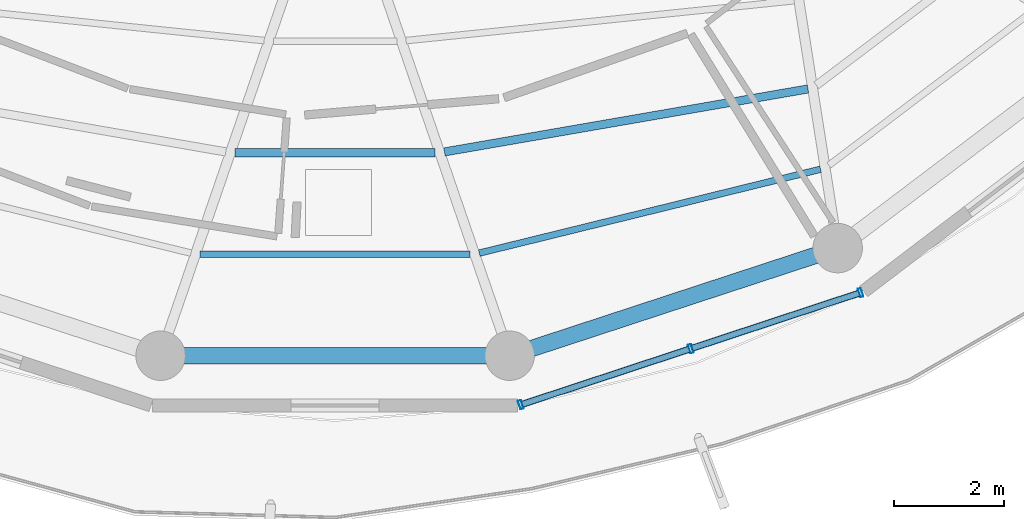
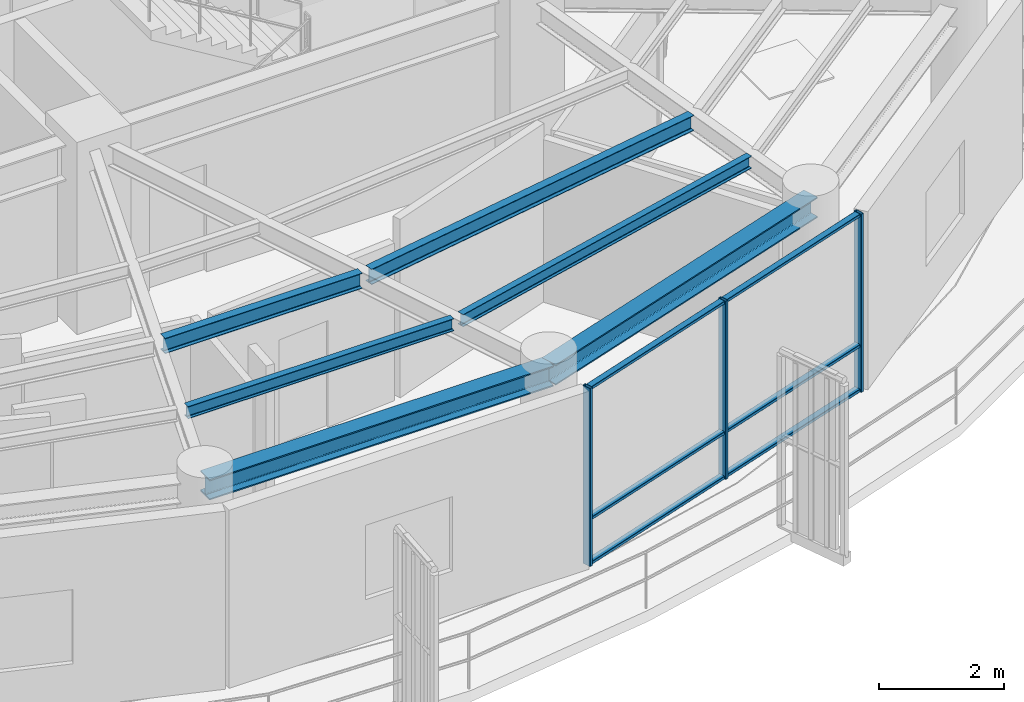
# One storey, part 3 of 22: 9 members, 6 beams, 1 element without a shape of its own.
"""IFC4 building model written with IfcOpenShell, lengths in metres."""

from ifc_helpers import new_model, si_unit, direction, frame, origin, origin_2d, place, context, subcontext, project, spatial, hollow_rectangle, i_section, extrude, material, layer, layer_set, material_profile, profile_set, type_object, element, aggregate, save


model = new_model("IFC4")

# Units and contexts
model_context = context("Model", 3, precision=1e-05, world=origin(), true_north=direction((0.0, 1.0)))
body_context = subcontext(model_context, "Body", "Model", "MODEL_VIEW")
ifc_project = project(units=[si_unit("LENGTHUNIT", "METRE"), si_unit("AREAUNIT", "SQUARE_METRE"), si_unit("VOLUMEUNIT", "CUBIC_METRE"), si_unit("PLANEANGLEUNIT", "RADIAN"), si_unit("MASSUNIT", "GRAM", prefix="KILO")], contexts=[model_context])

# Site, building, storey
site_placement = place(None, origin())
site = spatial("IfcSite", under=ifc_project, at=site_placement, CompositionType="ELEMENT")
building_placement = place(site_placement, origin())
building = spatial("IfcBuilding", under=site, at=building_placement, Name="Kelanora Arch Commons", CompositionType="ELEMENT")
storey_placement = place(building_placement, frame((0.0, 0.0, 271.199951171875)))
storey = spatial("IfcBuildingStorey", under=building, at=storey_placement, Name="L69", CompositionType="ELEMENT", Elevation=271.199951171875)

# Beams
ifc_material_1 = material(Name="Steel S355", Category="steel")
ifc_material_profile_1 = material_profile(ifc_material_1, i_section(OverallWidth=0.14990234375, OverallDepth=0.300048828125, WebThickness=0.007080078125, FlangeThickness=0.0107421875, FilletRadius=0.014892578125, at=origin_2d()), Name="IPE300")
ifc_profile_set_1 = profile_set([ifc_material_profile_1], Name="Steel S355")
beam_type_1 = type_object("IfcBeamType", Name="BM-JST-01", PredefinedType="JOIST", material=ifc_profile_set_1)
beam_1_placement = place(storey_placement, frame((72.180419921875, 45.462158203125, 3.340087890625), z_axis=(1.0, 0.0, 0.0), x_axis=(0.0, 1.0, 0.0)))
element("IfcBeam", 1, at=beam_1_placement, inside=storey, type_object=beam_type_1, Name="Secondary Chord Joist BJB-26 L69", PredefinedType="JOIST", context=body_context, shape_type="SweptSolid", body=[
    extrude(i_section(OverallWidth=0.14990234375, OverallDepth=0.300048828125, WebThickness=0.007080078125, FlangeThickness=0.0107421875, FilletRadius=0.014892578125, at=origin_2d()), origin(), (0.0, 0.0, 1.0), 3.63916015625),
])
beam_2_placement = place(storey_placement, frame((75.98828125, 45.476806640625, 3.340087890625), z_axis=(0.985321568263, 0.170708544357, 0.0), x_axis=(-0.170708544357, 0.985321568263, 0.0)))
element("IfcBeam", 2, at=beam_2_placement, inside=storey, type_object=beam_type_1, Name="Secondary Chord Joist BJB-28 L69", PredefinedType="JOIST", context=body_context, shape_type="SweptSolid", body=[
    extrude(i_section(OverallWidth=0.14990234375, OverallDepth=0.300048828125, WebThickness=0.007080078125, FlangeThickness=0.0107421875, FilletRadius=0.014892578125, at=origin_2d()), origin(), (0.0, 0.0, 1.0), 6.710205078125),
])
ifc_material_profile_2 = material_profile(ifc_material_1, i_section(OverallWidth=0.1201171875, OverallDepth=0.239990234375, WebThickness=0.006103515625, FlangeThickness=0.009765625, FilletRadius=0.014892578125, at=origin_2d()), Name="IPE240")
ifc_profile_set_2 = profile_set([ifc_material_profile_2], Name="Steel S355")
beam_type_2 = type_object("IfcBeamType", Name="BM-JST-02", PredefinedType="JOIST", material=ifc_profile_set_2)
beam_3_placement = place(storey_placement, frame((71.545654296875, 43.6162109375, 3.3701171875), z_axis=(1.0, 0.0, 0.0), x_axis=(0.0, 1.0, 0.0)))
element("IfcBeam", 3, at=beam_3_placement, inside=storey, type_object=beam_type_2, Name="Secondary Chord Joist BJC-26 L69", PredefinedType="JOIST", context=body_context, shape_type="SweptSolid", body=[
    extrude(i_section(OverallWidth=0.1201171875, OverallDepth=0.239990234375, WebThickness=0.006103515625, FlangeThickness=0.009765625, FilletRadius=0.014892578125, at=origin_2d()), origin(), (0.0, 0.0, 1.0), 4.90869140625),
])
beam_4_placement = place(storey_placement, frame((76.6220703125, 43.63671875, 3.3701171875), z_axis=(0.971109719488, 0.23863342749, 0.0), x_axis=(-0.23863342749, 0.971109719488, 0.0)))
element("IfcBeam", 4, at=beam_4_placement, inside=storey, type_object=beam_type_2, Name="Secondary Chord Joist BJC-28 L69", PredefinedType="JOIST", context=body_context, shape_type="SweptSolid", body=[
    extrude(i_section(OverallWidth=0.1201171875, OverallDepth=0.239990234375, WebThickness=0.006103515625, FlangeThickness=0.009765625, FilletRadius=0.014892578125, at=origin_2d()), origin(), (0.0, 0.0, 1.0), 6.39208984375),
])
ifc_material_profile_3 = material_profile(ifc_material_1, i_section(OverallWidth=0.300048828125, OverallDepth=0.39990234375, WebThickness=0.013427734375, FlangeThickness=0.02392578125, FilletRadius=0.027099609375, at=origin_2d()), Name="HEB400")
ifc_profile_set_3 = profile_set([ifc_material_profile_3], Name="Steel S355")
beam_type_3 = type_object("IfcBeamType", Name="BM-SPN-Z4", PredefinedType="SPANDREL", material=ifc_profile_set_3)
beam_5_placement = place(storey_placement, frame((70.82568359375, 41.7705078125, 3.2900390625), z_axis=(1.0, 0.0, 0.0), x_axis=(0.0, 1.0, 0.0)))
element("IfcBeam", 5, at=beam_5_placement, inside=storey, type_object=beam_type_3, Name="Perimeter Spandrel Beam BS-26 L69", PredefinedType="SPANDREL", context=body_context, shape_type="SweptSolid", body=[
    extrude(i_section(OverallWidth=0.300048828125, OverallDepth=0.39990234375, WebThickness=0.013427734375, FlangeThickness=0.02392578125, FilletRadius=0.027099609375, at=origin_2d()), origin(), (0.0, 0.0, 1.0), 6.3486328125),
])
beam_6_placement = place(storey_placement, frame((77.17431640625, 41.7705078125, 3.2900390625), z_axis=(0.950165923039, 0.311744636996, 0.0), x_axis=(-0.311744636996, 0.950165923039, 0.0)))
element("IfcBeam", 6, at=beam_6_placement, inside=storey, type_object=beam_type_3, Name="Perimeter Spandrel Beam BS-28 L69", PredefinedType="SPANDREL", context=body_context, shape_type="SweptSolid", body=[
    extrude(i_section(OverallWidth=0.300048828125, OverallDepth=0.39990234375, WebThickness=0.013427734375, FlangeThickness=0.02392578125, FilletRadius=0.027099609375, at=origin_2d()), origin(), (0.0, 0.0, 1.0), 6.278564453125),
])

# Curtain wall, members
ifc_material_2 = material(Name="Terracotta ceramic-fritted low-E glass and aluminium", Category="masonry")
ifc_layer = layer(ifc_material_2, 0.18994140625)
ifc_layer_set = layer_set([ifc_layer], Name="Terracotta ceramic-fritted low-E glass and aluminium")
curtain_wall_type = type_object("IfcCurtainWallType", Name="CW-SYS-03", PredefinedType="NOTDEFINED", material=ifc_layer_set)
curtain_wall_placement = place(storey_placement, origin())
curtain_wall = element("IfcCurtainWall", 7, at=curtain_wall_placement, inside=storey, type_object=curtain_wall_type, Name="Unitised Curtain Wall L69-B14", PredefinedType="NOTDEFINED")
ifc_material_3 = material(Name="Powder-coated aluminium terracotta", Category="masonry")
ifc_material_profile_4 = material_profile(ifc_material_3, hollow_rectangle(XDim=0.159912109375, YDim=0.06005859375, WallThickness=0.0048828125, InnerFilletRadius=0.0048828125, OuterFilletRadius=0.010009765625, at=origin_2d()), Name="CWM160x60")
ifc_profile_set_4 = profile_set([ifc_material_profile_4], Name="Powder-coated aluminium terracotta")
member_type_1 = type_object("IfcMemberType", Name="CWM-STD", PredefinedType="MULLION", material=ifc_profile_set_4)
member_1_placement = place(storey_placement, frame((77.376708984375, 40.87841796875, 0.0), z_axis=(0.0, 0.0, 1.0), x_axis=(-0.313252785344, 0.949669780752, 0.0)))
member_1 = element("IfcMember", 8, at=member_1_placement, type_object=member_type_1, Name="CW-03 mullion 1", PredefinedType="MULLION", context=body_context, shape_type="SweptSolid", body=[
    extrude(hollow_rectangle(XDim=0.159912109375, YDim=0.06005859375, WallThickness=0.0048828125, InnerFilletRadius=0.0048828125, OuterFilletRadius=0.010009765625, at=origin_2d()), origin(), (0.0, 0.0, 1.0), 3.47509765625),
])
member_2_placement = place(storey_placement, frame((80.467041015625, 41.897705078125, 0.0), z_axis=(0.0, 0.0, 1.0), x_axis=(-0.313252785344, 0.949669780752, 0.0)))
member_2 = element("IfcMember", 9, at=member_2_placement, type_object=member_type_1, Name="CW-03 mullion 2", PredefinedType="MULLION", context=body_context, shape_type="SweptSolid", body=[
    extrude(hollow_rectangle(XDim=0.159912109375, YDim=0.06005859375, WallThickness=0.0048828125, InnerFilletRadius=0.0048828125, OuterFilletRadius=0.010009765625, at=origin_2d()), origin(), (0.0, 0.0, 1.0), 3.47509765625),
])
member_3_placement = place(storey_placement, frame((83.557373046875, 42.9169921875, 0.0), z_axis=(0.0, 0.0, 1.0), x_axis=(-0.313252785344, 0.949669780752, 0.0)))
member_3 = element("IfcMember", 10, at=member_3_placement, type_object=member_type_1, Name="CW-03 mullion 3", PredefinedType="MULLION", context=body_context, shape_type="SweptSolid", body=[
    extrude(hollow_rectangle(XDim=0.159912109375, YDim=0.06005859375, WallThickness=0.0048828125, InnerFilletRadius=0.0048828125, OuterFilletRadius=0.010009765625, at=origin_2d()), origin(), (0.0, 0.0, 1.0), 3.47509765625),
])
ifc_material_profile_5 = material_profile(ifc_material_3, hollow_rectangle(XDim=0.1201171875, YDim=0.06005859375, WallThickness=0.0048828125, InnerFilletRadius=0.0048828125, OuterFilletRadius=0.010009765625, at=origin_2d()), Name="CWT120x60")
ifc_profile_set_5 = profile_set([ifc_material_profile_5], Name="Powder-coated aluminium terracotta")
member_type_2 = type_object("IfcMemberType", Name="CWT-STD", PredefinedType="USERDEFINED", material=ifc_profile_set_5)
member_4_placement = place(storey_placement, frame((77.4052734375, 40.8876953125, 0.030029296875), z_axis=(0.949649574195, 0.313314037719, 0.0), x_axis=(-0.313314037719, 0.949649574195, 0.0)))
member_4 = element("IfcMember", 11, at=member_4_placement, type_object=member_type_2, Name="CW-03 transom 1.1", ObjectType="TRANSOM", PredefinedType="USERDEFINED", context=body_context, shape_type="SweptSolid", body=[
    extrude(hollow_rectangle(XDim=0.1201171875, YDim=0.06005859375, WallThickness=0.0048828125, InnerFilletRadius=0.0048828125, OuterFilletRadius=0.010009765625, at=origin_2d()), origin(), (0.0, 0.0, 1.0), 3.194091796875),
])
member_5_placement = place(storey_placement, frame((77.4052734375, 40.8876953125, 0.900146484375), z_axis=(0.949649574195, 0.313314037719, 0.0), x_axis=(-0.313314037719, 0.949649574195, 0.0)))
member_5 = element("IfcMember", 12, at=member_5_placement, type_object=member_type_2, Name="CW-03 transom 1.2", ObjectType="TRANSOM", PredefinedType="USERDEFINED", context=body_context, shape_type="SweptSolid", body=[
    extrude(hollow_rectangle(XDim=0.1201171875, YDim=0.06005859375, WallThickness=0.0048828125, InnerFilletRadius=0.0048828125, OuterFilletRadius=0.010009765625, at=origin_2d()), origin(), (0.0, 0.0, 1.0), 3.194091796875),
])
member_6_placement = place(storey_placement, frame((77.4052734375, 40.8876953125, 3.445068359375), z_axis=(0.949649574195, 0.313314037719, 0.0), x_axis=(-0.313314037719, 0.949649574195, 0.0)))
member_6 = element("IfcMember", 13, at=member_6_placement, type_object=member_type_2, Name="CW-03 transom 1.3", ObjectType="TRANSOM", PredefinedType="USERDEFINED", context=body_context, shape_type="SweptSolid", body=[
    extrude(hollow_rectangle(XDim=0.1201171875, YDim=0.06005859375, WallThickness=0.0048828125, InnerFilletRadius=0.0048828125, OuterFilletRadius=0.010009765625, at=origin_2d()), origin(), (0.0, 0.0, 1.0), 3.194091796875),
])
member_7_placement = place(storey_placement, frame((80.49560546875, 41.9072265625, 0.030029296875), z_axis=(0.949672315102, 0.313245102003, 0.0), x_axis=(-0.313245102003, 0.949672315102, 0.0)))
member_7 = element("IfcMember", 14, at=member_7_placement, type_object=member_type_2, Name="CW-03 transom 2.1", ObjectType="TRANSOM", PredefinedType="USERDEFINED", context=body_context, shape_type="SweptSolid", body=[
    extrude(hollow_rectangle(XDim=0.1201171875, YDim=0.06005859375, WallThickness=0.0048828125, InnerFilletRadius=0.0048828125, OuterFilletRadius=0.010009765625, at=origin_2d()), origin(), (0.0, 0.0, 1.0), 3.19384765625),
])
member_8_placement = place(storey_placement, frame((80.49560546875, 41.9072265625, 0.900146484375), z_axis=(0.949672315102, 0.313245102003, 0.0), x_axis=(-0.313245102003, 0.949672315102, 0.0)))
member_8 = element("IfcMember", 15, at=member_8_placement, type_object=member_type_2, Name="CW-03 transom 2.2", ObjectType="TRANSOM", PredefinedType="USERDEFINED", context=body_context, shape_type="SweptSolid", body=[
    extrude(hollow_rectangle(XDim=0.1201171875, YDim=0.06005859375, WallThickness=0.0048828125, InnerFilletRadius=0.0048828125, OuterFilletRadius=0.010009765625, at=origin_2d()), origin(), (0.0, 0.0, 1.0), 3.19384765625),
])
member_9_placement = place(storey_placement, frame((80.49560546875, 41.9072265625, 3.445068359375), z_axis=(0.949672315102, 0.313245102003, 0.0), x_axis=(-0.313245102003, 0.949672315102, 0.0)))
member_9 = element("IfcMember", 16, at=member_9_placement, type_object=member_type_2, Name="CW-03 transom 2.3", ObjectType="TRANSOM", PredefinedType="USERDEFINED", context=body_context, shape_type="SweptSolid", body=[
    extrude(hollow_rectangle(XDim=0.1201171875, YDim=0.06005859375, WallThickness=0.0048828125, InnerFilletRadius=0.0048828125, OuterFilletRadius=0.010009765625, at=origin_2d()), origin(), (0.0, 0.0, 1.0), 3.19384765625),
])
aggregate(curtain_wall, [member_1, member_2, member_3, member_4, member_5, member_6, member_7, member_8, member_9])

save(model, "model.ifc")
